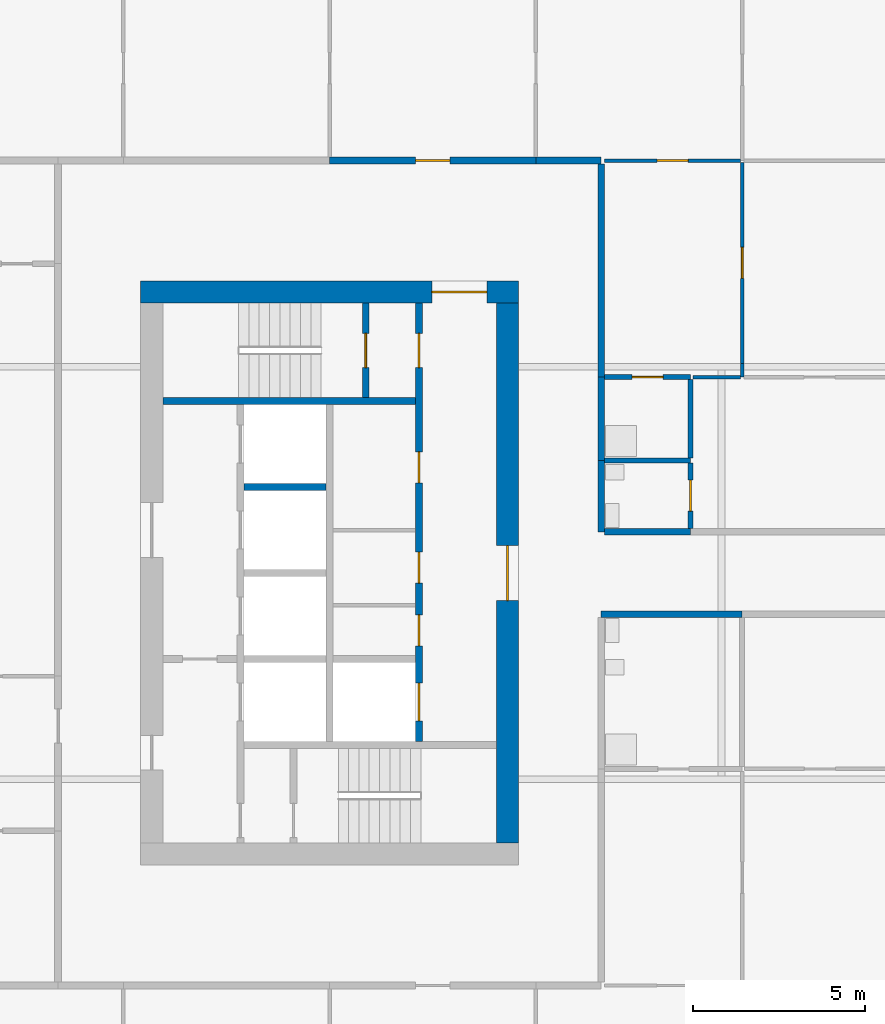
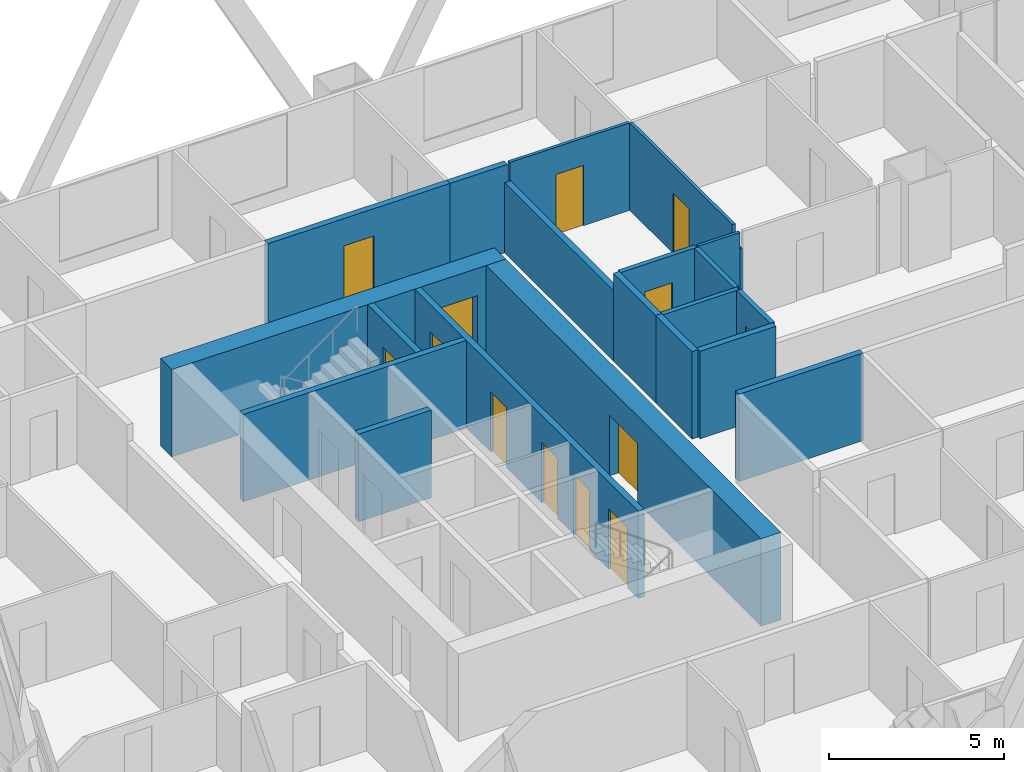
# One storey, part 4 of 11: 21 walls, 13 doors, 13 openings.
"""IFC4 building model written with IfcOpenShell, lengths in metres."""

from ifc_helpers import new_model, si_unit, direction, frame, frame_2d, origin, place, context, subcontext, project, spatial, rectangle, extrude, material, layer, layer_set, type_object, element, fill, save


model = new_model("IFC4")

# Units and contexts
model_context = context("Model", 3, precision=1e-05, world=origin(), true_north=direction((0.0, 1.0)))
body_context = subcontext(model_context, "Body", "Model", "MODEL_VIEW")
ifc_project = project(units=[si_unit("LENGTHUNIT", "METRE"), si_unit("AREAUNIT", "SQUARE_METRE"), si_unit("VOLUMEUNIT", "CUBIC_METRE"), si_unit("PLANEANGLEUNIT", "RADIAN"), si_unit("MASSUNIT", "GRAM", prefix="KILO")], contexts=[model_context])

# Site, building, storey
site_placement = place(None, origin())
site = spatial("IfcSite", under=ifc_project, at=site_placement, CompositionType="ELEMENT")
building_placement = place(site_placement, origin())
building = spatial("IfcBuilding", under=site, at=building_placement, Name="Kitamizu Gate Tower and Museum", CompositionType="ELEMENT")
storey_placement = place(building_placement, frame((0.0, 0.0, 131.10009765625)))
storey = spatial("IfcBuildingStorey", under=building, at=storey_placement, Name="L34", CompositionType="ELEMENT", Elevation=131.10009765625)

# Wall, opening, door
ifc_material_1 = material(Name="Concrete Fc60", Category="concrete")
ifc_layer_1 = layer(ifc_material_1, 0.64990234375)
ifc_layer_set_1 = layer_set([ifc_layer_1], Name="Concrete Fc60")
wall_type_1 = type_object("IfcWallType", Name="Core wall 650", PredefinedType="SHEAR", material=ifc_layer_set_1)
wall_1_placement = place(storey_placement, frame((12.5, 38.175048828125, 0.0), z_axis=(0.0, 0.0, 1.0), x_axis=(1.0, 0.0, 0.0)))
wall_1 = element("IfcWall", 1, at=wall_1_placement, inside=storey, type_object=wall_type_1, Name="Core wall WN", PredefinedType="SHEAR", context=body_context, shape_type="SweptSolid", body=[
    extrude(rectangle(XDim=11.0, YDim=0.64990234375, at=frame_2d((5.5, 0.0))), origin(), (0.0, 0.0, 1.0), 3.0498046875),
])
opening_1_placement = place(wall_1_placement, frame((8.47509765625, 0.0, 0.0)))
opening_1 = element("IfcOpeningElement", 2, at=opening_1_placement, cuts=wall_1, Name="Opening L34-059", PredefinedType="OPENING", context=body_context, shape_type="SweptSolid", body=[
    extrude(rectangle(XDim=1.60009765625, YDim=2.10009765625, at=frame_2d((0.800048828125, 1.050048828125))), frame((0.0, 0.3349609375, 0.0), z_axis=(0.0, -1.0, 0.0), x_axis=(1.0, 0.0, 0.0)), (0.0, 0.0, 1.0), 0.669921875),
])
ifc_material_2 = material(Name="Timber door set", Category="wood")
door_type_1 = type_object("IfcDoorType", Name="Entrance door 1600", OperationType="DOUBLE_DOOR_SINGLE_SWING", PredefinedType="DOOR", material=ifc_material_2)
door_1_placement = place(opening_1_placement, origin())
door_1 = element("IfcDoor", 3, at=door_1_placement, inside=storey, type_object=door_type_1, Name="Lobby door L34-059", OperationType="DOUBLE_DOOR_SINGLE_SWING", OverallHeight=2.10009765625, OverallWidth=1.60009765625, PredefinedType="DOOR", context=body_context, shape_type="SweptSolid", body=[
    extrude(rectangle(XDim=1.60009765625, YDim=2.10009765625, at=frame_2d((0.800048828125, 1.050048828125))), frame((0.0, 0.02490234375, 0.0), z_axis=(0.0, -1.0, 0.0), x_axis=(1.0, 0.0, 0.0)), (0.0, 0.0, 1.0), 0.050048828125),
])
fill(opening_1, door_1)

wall_2_placement = place(storey_placement, frame((23.175048828125, 22.14990234375, 0.0), z_axis=(0.0, 0.0, 1.0), x_axis=(0.0, 1.0, 0.0)))
wall_2 = element("IfcWall", 4, at=wall_2_placement, inside=storey, type_object=wall_type_1, Name="Core wall WARC", PredefinedType="SHEAR", context=body_context, shape_type="SweptSolid", body=[
    extrude(rectangle(XDim=15.7001953125, YDim=0.64990234375, at=frame_2d((7.85009765625, 0.0))), origin(), (0.0, 0.0, 1.0), 3.0498046875),
])
opening_2_placement = place(wall_2_placement, frame((7.050048828125, 0.0, 0.0)))
opening_2 = element("IfcOpeningElement", 5, at=opening_2_placement, cuts=wall_2, Name="Opening L34-060", PredefinedType="OPENING", context=body_context, shape_type="SweptSolid", body=[
    extrude(rectangle(XDim=1.60009765625, YDim=2.10009765625, at=frame_2d((0.800048828125, 1.050048828125))), frame((0.0, 0.3349609375, 0.0), z_axis=(0.0, -1.0, 0.0), x_axis=(1.0, 0.0, 0.0)), (0.0, 0.0, 1.0), 0.669921875),
])
door_2_placement = place(opening_2_placement, origin())
door_2 = element("IfcDoor", 6, at=door_2_placement, inside=storey, type_object=door_type_1, Name="Lobby door L34-060", OperationType="DOUBLE_DOOR_SINGLE_SWING", OverallHeight=2.10009765625, OverallWidth=1.60009765625, PredefinedType="DOOR", context=body_context, shape_type="SweptSolid", body=[
    extrude(rectangle(XDim=1.60009765625, YDim=2.10009765625, at=frame_2d((0.800048828125, 1.050048828125))), frame((0.0, 0.02490234375, 0.0), z_axis=(0.0, -1.0, 0.0), x_axis=(1.0, 0.0, 0.0)), (0.0, 0.0, 1.0), 0.050048828125),
])
fill(opening_2, door_2)

ifc_material_3 = material(Name="Gypsum board on galvanised stud")
ifc_layer_2 = layer(ifc_material_3, 0.10009765625)
ifc_layer_set_2 = layer_set([ifc_layer_2], Name="Gypsum board on galvanised stud")
wall_type_2 = type_object("IfcWallType", Name="Partition 100 NOT RATED", PredefinedType="PARTITIONING", material=ifc_layer_set_2)
wall_3_placement = place(storey_placement, frame((26.0, 42.0, 0.0), z_axis=(0.0, 0.0, 1.0), x_axis=(1.0, 0.0, 0.0)))
wall_3 = element("IfcWall", 7, at=wall_3_placement, inside=storey, type_object=wall_type_2, Name="Partition L34-058", PredefinedType="PARTITIONING", context=body_context, shape_type="SweptSolid", body=[
    extrude(rectangle(XDim=3.949951171875, YDim=0.10009765625, at=frame_2d((1.97509765625, 0.0))), origin(), (0.0, 0.0, 1.0), 3.0498046875),
])
opening_3_placement = place(wall_3_placement, frame((1.52490234375, 0.0, 0.0)))
opening_3 = element("IfcOpeningElement", 8, at=opening_3_placement, cuts=wall_3, Name="Opening L34-023", PredefinedType="OPENING", context=body_context, shape_type="SweptSolid", body=[
    extrude(rectangle(XDim=0.89990234375, YDim=2.10009765625, at=frame_2d((0.449951171875, 1.050048828125))), frame((0.0, 0.06005859375, 0.0), z_axis=(0.0, -1.0, 0.0), x_axis=(1.0, 0.0, 0.0)), (0.0, 0.0, 1.0), 0.1201171875),
])
ifc_material_4 = material(Name="Timber door set", Category="wood")
door_type_2 = type_object("IfcDoorType", Name="Room door 900", OperationType="NOTDEFINED", PredefinedType="DOOR", material=ifc_material_4)
door_3_placement = place(opening_3_placement, frame((0.89990234375, 0.0, 0.0), x_axis=(-1.0, 0.0, 0.0)))
door_3 = element("IfcDoor", 9, at=door_3_placement, inside=storey, type_object=door_type_2, Name="Door L34-023", OperationType="SINGLE_SWING_LEFT", OverallHeight=2.10009765625, OverallWidth=0.89990234375, PredefinedType="DOOR", context=body_context, shape_type="SweptSolid", body=[
    extrude(rectangle(XDim=0.89990234375, YDim=2.10009765625, at=frame_2d((0.449951171875, 1.050048828125))), frame((0.0, 0.02490234375, 0.0), z_axis=(0.0, -1.0, 0.0), x_axis=(1.0, 0.0, 0.0)), (0.0, 0.0, 1.0), 0.050048828125),
])
fill(opening_3, door_3)

# Wall
wall_4_placement = place(storey_placement, frame((30.0, 35.699951171875, 0.0), z_axis=(0.0, 0.0, 1.0), x_axis=(0.0, 1.0, 0.0)))
element("IfcWall", 10, at=wall_4_placement, inside=storey, type_object=wall_type_2, Name="Partition L34-063", PredefinedType="PARTITIONING", context=body_context, shape_type="SweptSolid", body=[
    extrude(rectangle(XDim=0.400146484375, YDim=0.10009765625, at=frame_2d((0.2001953125, 0.0))), origin(), (0.0, 0.0, 1.0), 2.449951171875),
])

# Wall, opening, door
wall_5_placement = place(storey_placement, frame((30.0, 36.10009765625, 0.0), z_axis=(0.0, 0.0, 1.0), x_axis=(0.0, 1.0, 0.0)))
wall_5 = element("IfcWall", 11, at=wall_5_placement, inside=storey, type_object=wall_type_2, Name="Partition L34-064", PredefinedType="PARTITIONING", context=body_context, shape_type="SweptSolid", body=[
    extrude(rectangle(XDim=5.849853515625, YDim=0.10009765625, at=frame_2d((2.9248046875, 0.0))), origin(), (0.0, 0.0, 1.0), 3.0498046875),
])
opening_4_placement = place(wall_5_placement, frame((2.47509765625, 0.0, 0.0)))
opening_4 = element("IfcOpeningElement", 12, at=opening_4_placement, cuts=wall_5, Name="Opening L34-024", PredefinedType="OPENING", context=body_context, shape_type="SweptSolid", body=[
    extrude(rectangle(XDim=0.89990234375, YDim=2.10009765625, at=frame_2d((0.449951171875, 1.050048828125))), frame((0.0, 0.06005859375, 0.0), z_axis=(0.0, -1.0, 0.0), x_axis=(1.0, 0.0, 0.0)), (0.0, 0.0, 1.0), 0.1201171875),
])
door_4_placement = place(opening_4_placement, origin())
door_4 = element("IfcDoor", 13, at=door_4_placement, inside=storey, type_object=door_type_2, Name="Door L34-024", OperationType="SINGLE_SWING_LEFT", OverallHeight=2.10009765625, OverallWidth=0.89990234375, PredefinedType="DOOR", context=body_context, shape_type="SweptSolid", body=[
    extrude(rectangle(XDim=0.89990234375, YDim=2.10009765625, at=frame_2d((0.449951171875, 1.050048828125))), frame((0.0, 0.02490234375, 0.0), z_axis=(0.0, -1.0, 0.0), x_axis=(1.0, 0.0, 0.0)), (0.0, 0.0, 1.0), 0.050048828125),
])
fill(opening_4, door_4)

# Wall
wall_6_placement = place(storey_placement, frame((28.574951171875, 35.699951171875, 0.0), z_axis=(0.0, 0.0, 1.0), x_axis=(1.0, 0.0, 0.0)))
element("IfcWall", 14, at=wall_6_placement, inside=storey, type_object=wall_type_2, Name="Partition L34-066", PredefinedType="PARTITIONING", context=body_context, shape_type="SweptSolid", body=[
    extrude(rectangle(XDim=1.375, YDim=0.10009765625, at=frame_2d((0.6875, 0.0))), origin(), (0.0, 0.0, 1.0), 3.0498046875),
])

# Wall, opening, door
ifc_material_5 = material(Name="Gypsum board on galvanised stud")
ifc_layer_3 = layer(ifc_material_5, 0.14990234375)
ifc_layer_set_3 = layer_set([ifc_layer_3], Name="Gypsum board on galvanised stud")
wall_type_3 = type_object("IfcWallType", Name="Partition 150", PredefinedType="PARTITIONING", material=ifc_layer_set_3)
wall_7_placement = place(storey_placement, frame((26.0, 35.699951171875, 0.0), z_axis=(0.0, 0.0, 1.0), x_axis=(1.0, 0.0, 0.0)))
wall_7 = element("IfcWall", 15, at=wall_7_placement, inside=storey, type_object=wall_type_3, Name="Partition L34-065", PredefinedType="PARTITIONING", context=body_context, shape_type="SweptSolid", body=[
    extrude(rectangle(XDim=2.5, YDim=0.14990234375, at=frame_2d((1.25, 0.0))), origin(), (0.0, 0.0, 1.0), 3.0498046875),
])
opening_5_placement = place(wall_7_placement, frame((0.800048828125, 0.0, 0.0)))
opening_5 = element("IfcOpeningElement", 16, at=opening_5_placement, cuts=wall_7, Name="Opening L34-026", PredefinedType="OPENING", context=body_context, shape_type="SweptSolid", body=[
    extrude(rectangle(XDim=0.89990234375, YDim=2.10009765625, at=frame_2d((0.449951171875, 1.050048828125))), frame((0.0, 0.0849609375, 0.0), z_axis=(0.0, -1.0, 0.0), x_axis=(1.0, 0.0, 0.0)), (0.0, 0.0, 1.0), 0.169921875),
])
ifc_material_6 = material(Name="Timber door set", Category="wood")
door_type_3 = type_object("IfcDoorType", Name="Bathroom door 900", OperationType="NOTDEFINED", PredefinedType="DOOR", material=ifc_material_6)
door_5_placement = place(opening_5_placement, frame((0.89990234375, 0.0, 0.0), x_axis=(-1.0, 0.0, 0.0)))
door_5 = element("IfcDoor", 17, at=door_5_placement, inside=storey, type_object=door_type_3, Name="Bathroom door L34-026", OperationType="SINGLE_SWING_RIGHT", OverallHeight=2.10009765625, OverallWidth=0.89990234375, PredefinedType="DOOR", context=body_context, shape_type="SweptSolid", body=[
    extrude(rectangle(XDim=0.89990234375, YDim=2.10009765625, at=frame_2d((0.449951171875, 1.050048828125))), frame((0.0, 0.02490234375, 0.0), z_axis=(0.0, -1.0, 0.0), x_axis=(1.0, 0.0, 0.0)), (0.0, 0.0, 1.0), 0.050048828125),
])
fill(opening_5, door_5)

# Wall
wall_8_placement = place(storey_placement, frame((28.5, 33.277099609375, 0.0), z_axis=(0.0, 0.0, 1.0), x_axis=(-1.0, 0.0, 0.0)))
element("IfcWall", 18, at=wall_8_placement, inside=storey, type_object=wall_type_3, Name="Partition L34-076", PredefinedType="PARTITIONING", context=body_context, shape_type="SweptSolid", body=[
    extrude(rectangle(XDim=2.5, YDim=0.14990234375, at=frame_2d((1.25, 0.0))), origin(), (0.0, 0.0, 1.0), 3.0498046875),
])

# Wall, opening, door
wall_9_placement = place(storey_placement, frame((28.5, 31.300048828125, 0.0), z_axis=(0.0, 0.0, 1.0), x_axis=(0.0, 1.0, 0.0)))
wall_9 = element("IfcWall", 19, at=wall_9_placement, inside=storey, type_object=wall_type_3, Name="Partition L34-077", PredefinedType="PARTITIONING", context=body_context, shape_type="SweptSolid", body=[
    extrude(rectangle(XDim=1.90185546875, YDim=0.14990234375, at=frame_2d((0.950927734375, 0.0))), origin(), (0.0, 0.0, 1.0), 3.0498046875),
])
opening_6_placement = place(wall_9_placement, frame((0.5009765625, 0.0, 0.0)))
opening_6 = element("IfcOpeningElement", 20, at=opening_6_placement, cuts=wall_9, Name="Opening L34-028", PredefinedType="OPENING", context=body_context, shape_type="SweptSolid", body=[
    extrude(rectangle(XDim=0.89990234375, YDim=2.10009765625, at=frame_2d((0.449951171875, 1.050048828125))), frame((0.0, 0.0849609375, 0.0), z_axis=(0.0, -1.0, 0.0), x_axis=(1.0, 0.0, 0.0)), (0.0, 0.0, 1.0), 0.169921875),
])
door_6_placement = place(opening_6_placement, origin())
door_6 = element("IfcDoor", 21, at=door_6_placement, inside=storey, type_object=door_type_3, Name="Bathroom door L34-028", OperationType="SINGLE_SWING_LEFT", OverallHeight=2.10009765625, OverallWidth=0.89990234375, PredefinedType="DOOR", context=body_context, shape_type="SweptSolid", body=[
    extrude(rectangle(XDim=0.89990234375, YDim=2.10009765625, at=frame_2d((0.449951171875, 1.050048828125))), frame((0.0, 0.02490234375, 0.0), z_axis=(0.0, -1.0, 0.0), x_axis=(1.0, 0.0, 0.0)), (0.0, 0.0, 1.0), 0.050048828125),
])
fill(opening_6, door_6)

# Walls
wall_10_placement = place(storey_placement, frame((28.5, 33.35205078125, 0.0), z_axis=(0.0, 0.0, 1.0), x_axis=(0.0, 1.0, 0.0)))
element("IfcWall", 22, at=wall_10_placement, inside=storey, type_object=wall_type_3, Name="Partition L34-080", PredefinedType="PARTITIONING", context=body_context, shape_type="SweptSolid", body=[
    extrude(rectangle(XDim=2.27294921875, YDim=0.14990234375, at=frame_2d((1.136474609375, 0.0))), origin(), (0.0, 0.0, 1.0), 3.0498046875),
])
ifc_material_7 = material(Name="Gypsum board on galvanised stud")
ifc_layer_4 = layer(ifc_material_7, 0.199951171875)
ifc_layer_set_4 = layer_set([ifc_layer_4], Name="Gypsum board on galvanised stud")
wall_type_4 = type_object("IfcWallType", Name="Partition 200", PredefinedType="PARTITIONING", material=ifc_layer_set_4)
wall_11_placement = place(storey_placement, frame((30.0, 28.800048828125, 0.0), z_axis=(0.0, 0.0, 1.0), x_axis=(-1.0, 0.0, 0.0)))
element("IfcWall", 23, at=wall_11_placement, inside=storey, type_object=wall_type_4, Name="Partition L34-025", PredefinedType="PARTITIONING", context=body_context, shape_type="SweptSolid", body=[
    extrude(rectangle(XDim=4.10009765625, YDim=0.199951171875, at=frame_2d((2.050048828125, 0.0))), origin(), (0.0, 0.0, 1.0), 3.0498046875),
])

# Wall, opening, door
wall_12_placement = place(storey_placement, frame((18.0, 42.0, 0.0), z_axis=(0.0, 0.0, 1.0), x_axis=(1.0, 0.0, 0.0)))
wall_12 = element("IfcWall", 24, at=wall_12_placement, inside=storey, type_object=wall_type_4, Name="Partition L34-056", PredefinedType="PARTITIONING", context=body_context, shape_type="SweptSolid", body=[
    extrude(rectangle(XDim=6.0, YDim=0.199951171875, at=frame_2d((3.0, 0.0))), origin(), (0.0, 0.0, 1.0), 3.0498046875),
])
opening_7_placement = place(wall_12_placement, frame((2.5, 0.0, 0.0)))
opening_7 = element("IfcOpeningElement", 25, at=opening_7_placement, cuts=wall_12, Name="Opening L34-018", PredefinedType="OPENING", context=body_context, shape_type="SweptSolid", body=[
    extrude(rectangle(XDim=1.0, YDim=2.10009765625, at=frame_2d((0.5, 1.050048828125))), frame((0.0, 0.10986328125, 0.0), z_axis=(0.0, -1.0, 0.0), x_axis=(1.0, 0.0, 0.0)), (0.0, 0.0, 1.0), 0.219970703125),
])
ifc_material_8 = material(Name="Timber door set", Category="wood")
door_type_4 = type_object("IfcDoorType", Name="Flat entrance door 1000", OperationType="NOTDEFINED", PredefinedType="DOOR", material=ifc_material_8)
door_7_placement = place(opening_7_placement, origin())
door_7 = element("IfcDoor", 26, at=door_7_placement, inside=storey, type_object=door_type_4, Name="Flat entrance door L34-018", OperationType="SINGLE_SWING_LEFT", OverallHeight=2.10009765625, OverallWidth=1.0, PredefinedType="DOOR", context=body_context, shape_type="SweptSolid", body=[
    extrude(rectangle(XDim=1.0, YDim=2.10009765625, at=frame_2d((0.5, 1.050048828125))), frame((0.0, 0.02490234375, 0.0), z_axis=(0.0, -1.0, 0.0), x_axis=(1.0, 0.0, 0.0)), (0.0, 0.0, 1.0), 0.050048828125),
])
fill(opening_7, door_7)

# Walls
wall_13_placement = place(storey_placement, frame((24.0, 42.0, 0.0), z_axis=(0.0, 0.0, 1.0), x_axis=(1.0, 0.0, 0.0)))
element("IfcWall", 27, at=wall_13_placement, inside=storey, type_object=wall_type_4, Name="Partition L34-059", PredefinedType="PARTITIONING", context=body_context, shape_type="SweptSolid", body=[
    extrude(rectangle(XDim=1.89990234375, YDim=0.199951171875, at=frame_2d((0.949951171875, 0.0))), origin(), (0.0, 0.0, 1.0), 3.0498046875),
])
wall_14_placement = place(storey_placement, frame((25.89990234375, 41.89990234375, 0.0), z_axis=(0.0, 0.0, 1.0), x_axis=(0.0, -1.0, 0.0)))
element("IfcWall", 28, at=wall_14_placement, inside=storey, type_object=wall_type_4, Name="Partition L34-067", PredefinedType="PARTITIONING", context=body_context, shape_type="SweptSolid", body=[
    extrude(rectangle(XDim=6.199951171875, YDim=0.199951171875, at=frame_2d((3.10009765625, 0.0))), origin(), (0.0, 0.0, 1.0), 2.449951171875),
])
wall_15_placement = place(storey_placement, frame((25.89990234375, 33.277099609375, 0.0), z_axis=(0.0, 0.0, 1.0), x_axis=(0.0, -1.0, 0.0)))
element("IfcWall", 29, at=wall_15_placement, inside=storey, type_object=wall_type_4, Name="Partition L34-078", PredefinedType="PARTITIONING", context=body_context, shape_type="SweptSolid", body=[
    extrude(rectangle(XDim=2.0771484375, YDim=0.199951171875, at=frame_2d((1.03857421875, 0.0))), origin(), (0.0, 0.0, 1.0), 3.0498046875),
])
wall_16_placement = place(storey_placement, frame((26.0, 31.199951171875, 0.0), z_axis=(0.0, 0.0, 1.0), x_axis=(1.0, 0.0, 0.0)))
element("IfcWall", 30, at=wall_16_placement, inside=storey, type_object=wall_type_4, Name="Partition L34-079", PredefinedType="PARTITIONING", context=body_context, shape_type="SweptSolid", body=[
    extrude(rectangle(XDim=2.5, YDim=0.199951171875, at=frame_2d((1.25, 0.0))), origin(), (0.0, 0.0, 1.0), 3.0498046875),
])
wall_17_placement = place(storey_placement, frame((25.89990234375, 35.699951171875, 0.0), z_axis=(0.0, 0.0, 1.0), x_axis=(0.0, -1.0, 0.0)))
element("IfcWall", 31, at=wall_17_placement, inside=storey, type_object=wall_type_4, Name="Partition L34-081", PredefinedType="PARTITIONING", context=body_context, shape_type="SweptSolid", body=[
    extrude(rectangle(XDim=2.4228515625, YDim=0.199951171875, at=frame_2d((1.21142578125, 0.0))), origin(), (0.0, 0.0, 1.0), 3.0498046875),
])

# Wall, openings, doors
ifc_material_9 = material(Name="Concrete Fc42", Category="concrete")
ifc_layer_5 = layer(ifc_material_9, 0.199951171875)
ifc_layer_set_5 = layer_set([ifc_layer_5], Name="Concrete Fc42")
wall_type_5 = type_object("IfcWallType", Name="Shaft wall 200", PredefinedType="SOLIDWALL", material=ifc_layer_set_5)
wall_18_placement = place(storey_placement, frame((20.60009765625, 25.10009765625, 0.0), z_axis=(0.0, 0.0, 1.0), x_axis=(0.0, 1.0, 0.0)))
wall_18 = element("IfcWall", 32, at=wall_18_placement, inside=storey, type_object=wall_type_5, Name="Shaft wall WEAST", PredefinedType="SOLIDWALL", context=body_context, shape_type="SweptSolid", body=[
    extrude(rectangle(XDim=12.75, YDim=0.199951171875, at=frame_2d((6.375, 0.0))), origin(), (0.0, 0.0, 1.0), 3.0498046875),
])
opening_8_placement = place(wall_18_placement, frame((0.60009765625, 0.0, 0.0)))
opening_8 = element("IfcOpeningElement", 33, at=opening_8_placement, cuts=wall_18, Name="Opening LD", PredefinedType="OPENING", context=body_context, shape_type="SweptSolid", body=[
    extrude(rectangle(XDim=1.10009765625, YDim=2.10009765625, at=frame_2d((0.550048828125, 1.050048828125))), frame((0.0, 0.10986328125, 0.0), z_axis=(0.0, -1.0, 0.0), x_axis=(1.0, 0.0, 0.0)), (0.0, 0.0, 1.0), 0.219970703125),
])
opening_9_placement = place(wall_18_placement, frame((10.875, 0.0, 0.0)))
opening_9 = element("IfcOpeningElement", 34, at=opening_9_placement, cuts=wall_18, Name="Opening L34-054", PredefinedType="OPENING", context=body_context, shape_type="SweptSolid", body=[
    extrude(rectangle(XDim=1.0, YDim=2.10009765625, at=frame_2d((0.5, 1.050048828125))), frame((0.0, 0.10986328125, 0.0), z_axis=(0.0, -1.0, 0.0), x_axis=(1.0, 0.0, 0.0)), (0.0, 0.0, 1.0), 0.219970703125),
])
opening_10_placement = place(wall_18_placement, frame((2.780029296875, 0.0, 0.0)))
opening_10 = element("IfcOpeningElement", 35, at=opening_10_placement, cuts=wall_18, Name="Opening L34-061", PredefinedType="OPENING", context=body_context, shape_type="SweptSolid", body=[
    extrude(rectangle(XDim=0.89990234375, YDim=2.10009765625, at=frame_2d((0.449951171875, 1.050048828125))), frame((0.0, 0.10986328125, 0.0), z_axis=(0.0, -1.0, 0.0), x_axis=(1.0, 0.0, 0.0)), (0.0, 0.0, 1.0), 0.219970703125),
])
opening_11_placement = place(wall_18_placement, frame((4.60498046875, 0.0, 0.0)))
opening_11 = element("IfcOpeningElement", 36, at=opening_11_placement, cuts=wall_18, Name="Opening L34-062", PredefinedType="OPENING", context=body_context, shape_type="SweptSolid", body=[
    extrude(rectangle(XDim=0.89990234375, YDim=2.10009765625, at=frame_2d((0.449951171875, 1.050048828125))), frame((0.0, 0.10986328125, 0.0), z_axis=(0.0, -1.0, 0.0), x_axis=(1.0, 0.0, 0.0)), (0.0, 0.0, 1.0), 0.219970703125),
])
opening_12_placement = place(wall_18_placement, frame((7.52490234375, 0.0, 0.0)))
opening_12 = element("IfcOpeningElement", 37, at=opening_12_placement, cuts=wall_18, Name="Opening L34-063", PredefinedType="OPENING", context=body_context, shape_type="SweptSolid", body=[
    extrude(rectangle(XDim=0.89990234375, YDim=2.10009765625, at=frame_2d((0.449951171875, 1.050048828125))), frame((0.0, 0.10986328125, 0.0), z_axis=(0.0, -1.0, 0.0), x_axis=(1.0, 0.0, 0.0)), (0.0, 0.0, 1.0), 0.219970703125),
])
ifc_material_10 = material(Name="Hollow metal door set")
door_type_5 = type_object("IfcDoorType", Name="Fire door 1000", OperationType="NOTDEFINED", PredefinedType="DOOR", material=ifc_material_10)
door_8_placement = place(opening_9_placement, origin())
door_8 = element("IfcDoor", 38, at=door_8_placement, inside=storey, type_object=door_type_5, Name="Stair lobby door L34-054", OperationType="SINGLE_SWING_RIGHT", OverallHeight=2.10009765625, OverallWidth=1.0, PredefinedType="DOOR", context=body_context, shape_type="SweptSolid", body=[
    extrude(rectangle(XDim=1.0, YDim=2.10009765625, at=frame_2d((0.5, 1.050048828125))), frame((0.0, 0.02490234375, 0.0), z_axis=(0.0, -1.0, 0.0), x_axis=(1.0, 0.0, 0.0)), (0.0, 0.0, 1.0), 0.050048828125),
])
fill(opening_9, door_8)
ifc_material_11 = material(Name="Hollow metal door set")
door_type_6 = type_object("IfcDoorType", Name="Landing door 1100", OperationType="SLIDING_TO_LEFT", PredefinedType="DOOR", material=ifc_material_11)
door_9_placement = place(opening_8_placement, origin())
door_9 = element("IfcDoor", 39, at=door_9_placement, inside=storey, type_object=door_type_6, Name="Landing door WSV1", OperationType="SLIDING_TO_LEFT", OverallHeight=2.10009765625, OverallWidth=1.10009765625, PredefinedType="DOOR", context=body_context, shape_type="SweptSolid", body=[
    extrude(rectangle(XDim=1.10009765625, YDim=2.10009765625, at=frame_2d((0.550048828125, 1.050048828125))), frame((0.0, 0.02490234375, 0.0), z_axis=(0.0, -1.0, 0.0), x_axis=(1.0, 0.0, 0.0)), (0.0, 0.0, 1.0), 0.050048828125),
])
fill(opening_8, door_9)
ifc_material_12 = material(Name="Timber door set", Category="wood")
door_type_7 = type_object("IfcDoorType", Name="Service door 900", OperationType="NOTDEFINED", PredefinedType="DOOR", material=ifc_material_12)
door_10_placement = place(opening_10_placement, origin())
door_10 = element("IfcDoor", 40, at=door_10_placement, inside=storey, type_object=door_type_7, Name="Service door L34-061", OperationType="SINGLE_SWING_RIGHT", OverallHeight=2.10009765625, OverallWidth=0.89990234375, PredefinedType="DOOR", context=body_context, shape_type="SweptSolid", body=[
    extrude(rectangle(XDim=0.89990234375, YDim=2.10009765625, at=frame_2d((0.449951171875, 1.050048828125))), frame((0.0, 0.02490234375, 0.0), z_axis=(0.0, -1.0, 0.0), x_axis=(1.0, 0.0, 0.0)), (0.0, 0.0, 1.0), 0.050048828125),
])
fill(opening_10, door_10)
door_11_placement = place(opening_11_placement, origin())
door_11 = element("IfcDoor", 41, at=door_11_placement, inside=storey, type_object=door_type_7, Name="Service door L34-062", OperationType="SINGLE_SWING_LEFT", OverallHeight=2.10009765625, OverallWidth=0.89990234375, PredefinedType="DOOR", context=body_context, shape_type="SweptSolid", body=[
    extrude(rectangle(XDim=0.89990234375, YDim=2.10009765625, at=frame_2d((0.449951171875, 1.050048828125))), frame((0.0, 0.02490234375, 0.0), z_axis=(0.0, -1.0, 0.0), x_axis=(1.0, 0.0, 0.0)), (0.0, 0.0, 1.0), 0.050048828125),
])
fill(opening_11, door_11)
door_12_placement = place(opening_12_placement, origin())
door_12 = element("IfcDoor", 42, at=door_12_placement, inside=storey, type_object=door_type_7, Name="Service door L34-063", OperationType="SINGLE_SWING_RIGHT", OverallHeight=2.10009765625, OverallWidth=0.89990234375, PredefinedType="DOOR", context=body_context, shape_type="SweptSolid", body=[
    extrude(rectangle(XDim=0.89990234375, YDim=2.10009765625, at=frame_2d((0.449951171875, 1.050048828125))), frame((0.0, 0.02490234375, 0.0), z_axis=(0.0, -1.0, 0.0), x_axis=(1.0, 0.0, 0.0)), (0.0, 0.0, 1.0), 0.050048828125),
])
fill(opening_12, door_12)

# Wall
wall_19_placement = place(storey_placement, frame((13.14990234375, 35.0, 0.0), z_axis=(0.0, 0.0, 1.0), x_axis=(1.0, 0.0, 0.0)))
element("IfcWall", 43, at=wall_19_placement, inside=storey, type_object=wall_type_5, Name="Shaft wall WNB", PredefinedType="SOLIDWALL", context=body_context, shape_type="SweptSolid", body=[
    extrude(rectangle(XDim=7.35009765625, YDim=0.199951171875, at=frame_2d((3.675048828125, 0.0))), origin(), (0.0, 0.0, 1.0), 3.0498046875),
])

# Wall, opening, door
wall_20_placement = place(storey_placement, frame((19.050048828125, 35.10009765625, 0.0), z_axis=(0.0, 0.0, 1.0), x_axis=(0.0, 1.0, 0.0)))
wall_20 = element("IfcWall", 44, at=wall_20_placement, inside=storey, type_object=wall_type_5, Name="Shaft wall WNZ", PredefinedType="SOLIDWALL", context=body_context, shape_type="SweptSolid", body=[
    extrude(rectangle(XDim=2.75, YDim=0.199951171875, at=frame_2d((1.375, 0.0))), origin(), (0.0, 0.0, 1.0), 3.0498046875),
])
opening_13_placement = place(wall_20_placement, frame((0.875, 0.0, 0.0)))
opening_13 = element("IfcOpeningElement", 45, at=opening_13_placement, cuts=wall_20, Name="Opening L34-055", PredefinedType="OPENING", context=body_context, shape_type="SweptSolid", body=[
    extrude(rectangle(XDim=1.0, YDim=2.10009765625, at=frame_2d((0.5, 1.050048828125))), frame((0.0, 0.10986328125, 0.0), z_axis=(0.0, -1.0, 0.0), x_axis=(1.0, 0.0, 0.0)), (0.0, 0.0, 1.0), 0.219970703125),
])
door_13_placement = place(opening_13_placement, origin())
door_13 = element("IfcDoor", 46, at=door_13_placement, inside=storey, type_object=door_type_5, Name="Stair door L34-055", OperationType="SINGLE_SWING_LEFT", OverallHeight=2.10009765625, OverallWidth=1.0, PredefinedType="DOOR", context=body_context, shape_type="SweptSolid", body=[
    extrude(rectangle(XDim=1.0, YDim=2.10009765625, at=frame_2d((0.5, 1.050048828125))), frame((0.0, 0.02490234375, 0.0), z_axis=(0.0, -1.0, 0.0), x_axis=(1.0, 0.0, 0.0)), (0.0, 0.0, 1.0), 0.050048828125),
])
fill(opening_13, door_13)

# Wall
wall_21_placement = place(storey_placement, frame((15.5, 32.5, 0.0), z_axis=(0.0, 0.0, 1.0), x_axis=(1.0, 0.0, 0.0)))
element("IfcWall", 47, at=wall_21_placement, inside=storey, type_object=wall_type_5, Name="Shaft wall WDVW2", PredefinedType="SOLIDWALL", context=body_context, shape_type="SweptSolid", body=[
    extrude(rectangle(XDim=2.39990234375, YDim=0.199951171875, at=frame_2d((1.199951171875, 0.0))), origin(), (0.0, 0.0, 1.0), 3.0498046875),
])

save(model, "model.ifc")
